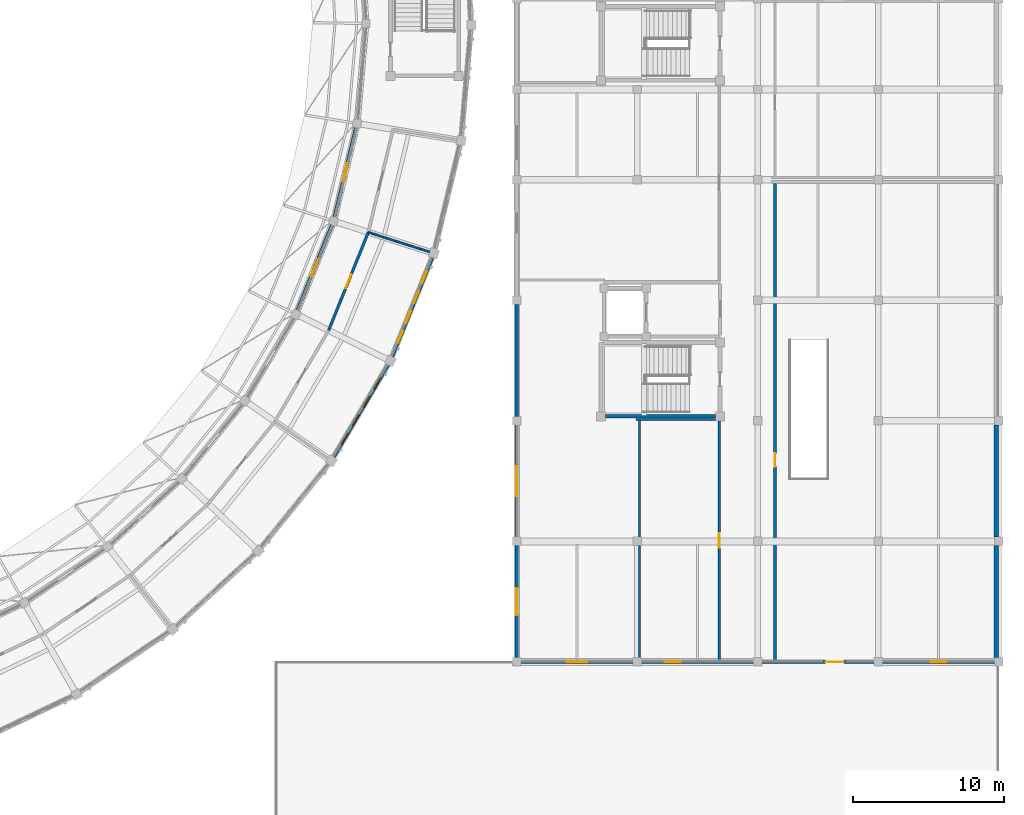
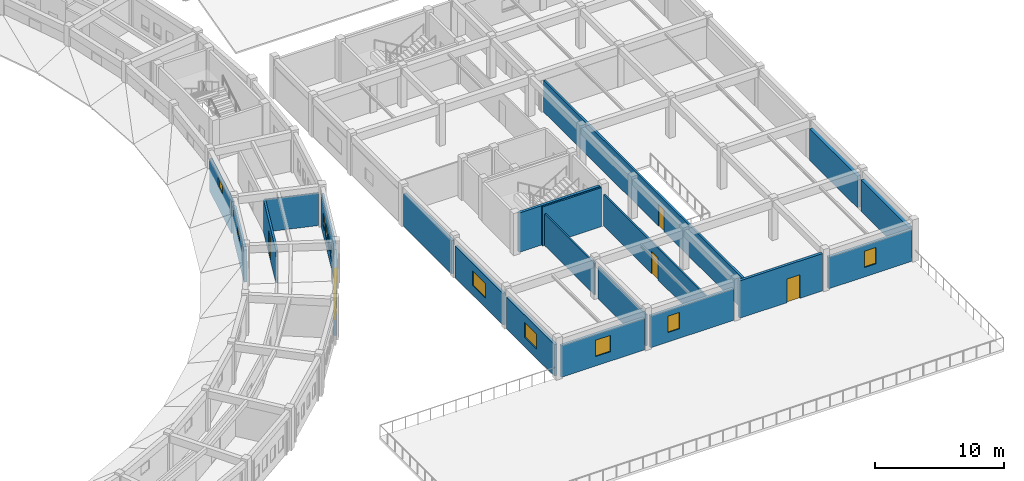
# One storey, part 90 of 112: 21 walls, 15 windows, 4 doors, 19 openings.
"""IFC4 building model written with IfcOpenShell, lengths in metres."""

from ifc_helpers import new_model, si_unit, direction, frame, frame_2d, origin, place, context, subcontext, project, spatial, rectangle, extrude, material, layer, layer_set, type_object, element, fill, save


model = new_model("IFC4")

# Units and contexts
model_context = context("Model", 3, precision=1e-05, world=origin(), true_north=direction((0.0, 1.0)))
body_context = subcontext(model_context, "Body", "Model", "MODEL_VIEW")
ifc_project = project(units=[si_unit("LENGTHUNIT", "METRE"), si_unit("AREAUNIT", "SQUARE_METRE"), si_unit("VOLUMEUNIT", "CUBIC_METRE"), si_unit("PLANEANGLEUNIT", "RADIAN"), si_unit("MASSUNIT", "GRAM", prefix="KILO")], contexts=[model_context])

# Site, building, storey
site_placement = place(None, origin())
site = spatial("IfcSite", under=ifc_project, at=site_placement, CompositionType="ELEMENT")
building_placement = place(site_placement, origin())
building = spatial("IfcBuilding", under=site, at=building_placement, Name="Celadon Cloister-Ring School", CompositionType="ELEMENT")
storey_placement = place(building_placement, frame((0.0, 0.0, 8.5)))
storey = spatial("IfcBuildingStorey", under=building, at=storey_placement, Name="L02", CompositionType="ELEMENT", Elevation=8.5)

# Wall, opening, window
ifc_material_1 = material(Name="Rendered concrete blockwork", Category="masonry")
ifc_layer_1 = layer(ifc_material_1, 0.239990234375)
ifc_layer_set_1 = layer_set([ifc_layer_1], Name="Rendered concrete blockwork")
wall_type_1 = type_object("IfcWallType", Name="WT-EX3", PredefinedType="SOLIDWALL", material=ifc_layer_set_1)
wall_1_placement = place(storey_placement, frame((127.45703125, 39.342041015625, 0.0), z_axis=(0.0, 0.0, 1.0), x_axis=(0.375028796547, 0.92701316159, 0.0)))
wall_1 = element("IfcWall", 1, at=wall_1_placement, inside=storey, type_object=wall_type_1, Name="Exterior Wall 0153", PredefinedType="SOLIDWALL", context=body_context, shape_type="SweptSolid", body=[
    extrude(rectangle(XDim=6.092529296875, YDim=0.239990234375, at=frame_2d((3.04638671875, 0.0))), origin(), (0.0, 0.0, 1.0), 3.050048828125),
])
opening_1_placement = place(wall_1_placement, frame((2.446044921875, 0.0, 2.050048828125)))
opening_1 = element("IfcOpeningElement", 2, at=opening_1_placement, cuts=wall_1, Name="Opening WN-49", PredefinedType="OPENING", context=body_context, shape_type="SweptSolid", body=[
    extrude(rectangle(XDim=1.199951171875, YDim=0.85009765625, at=frame_2d((0.60009765625, 0.425048828125))), frame((0.0, 0.1298828125, 0.0), z_axis=(0.0, -1.0, 0.0), x_axis=(1.0, 0.0, 0.0)), (0.0, 0.0, 1.0), 0.260009765625),
])
ifc_material_2 = material(Name="Tempered laminated insulating glass", Category="glass")
window_type_1 = type_object("IfcWindowType", Name="WN-49", PartitioningType="SINGLE_PANEL", PredefinedType="WINDOW", material=ifc_material_2)
window_1_placement = place(opening_1_placement, origin())
window_1 = element("IfcWindow", 3, at=window_1_placement, inside=storey, type_object=window_type_1, Name="Window 0398", OverallHeight=0.85009765625, OverallWidth=1.199951171875, PartitioningType="SINGLE_PANEL", PredefinedType="WINDOW", context=body_context, shape_type="SweptSolid", body=[
    extrude(rectangle(XDim=1.199951171875, YDim=0.85009765625, at=frame_2d((0.60009765625, 0.425048828125))), frame((0.0, 0.030029296875, 0.0), z_axis=(0.0, -1.0, 0.0), x_axis=(1.0, 0.0, 0.0)), (0.0, 0.0, 1.0), 0.06005859375),
])
fill(opening_1, window_1)

wall_2_placement = place(storey_placement, frame((129.9169921875, 45.534912109375, 0.0), z_axis=(0.0, 0.0, 1.0), x_axis=(0.234068568922, 0.972220090845, 0.0)))
wall_2 = element("IfcWall", 4, at=wall_2_placement, inside=storey, type_object=wall_type_1, Name="Exterior Wall 0155", PredefinedType="SOLIDWALL", context=body_context, shape_type="SweptSolid", body=[
    extrude(rectangle(XDim=6.09228515625, YDim=0.239990234375, at=frame_2d((3.046142578125, 0.0))), origin(), (0.0, 0.0, 1.0), 3.050048828125),
])
opening_2_placement = place(wall_2_placement, frame((2.446044921875, 0.0, 2.050048828125)))
opening_2 = element("IfcOpeningElement", 5, at=opening_2_placement, cuts=wall_2, Name="Opening WN-49", PredefinedType="OPENING", context=body_context, shape_type="SweptSolid", body=[
    extrude(rectangle(XDim=1.199951171875, YDim=0.85009765625, at=frame_2d((0.60009765625, 0.425048828125))), frame((0.0, 0.1298828125, 0.0), z_axis=(0.0, -1.0, 0.0), x_axis=(1.0, 0.0, 0.0)), (0.0, 0.0, 1.0), 0.260009765625),
])
window_2_placement = place(opening_2_placement, origin())
window_2 = element("IfcWindow", 6, at=window_2_placement, inside=storey, type_object=window_type_1, Name="Window 0403", OverallHeight=0.85009765625, OverallWidth=1.199951171875, PartitioningType="SINGLE_PANEL", PredefinedType="WINDOW", context=body_context, shape_type="SweptSolid", body=[
    extrude(rectangle(XDim=1.199951171875, YDim=0.85009765625, at=frame_2d((0.60009765625, 0.425048828125))), frame((0.0, 0.030029296875, 0.0), z_axis=(0.0, -1.0, 0.0), x_axis=(1.0, 0.0, 0.0)), (0.0, 0.0, 1.0), 0.06005859375),
])
fill(opening_2, window_2)

wall_3_placement = place(storey_placement, frame((142.0, 16.277099609375, 0.0), z_axis=(0.0, 0.0, 1.0), x_axis=(0.0, 1.0, 0.0)))
wall_3 = element("IfcWall", 7, at=wall_3_placement, inside=storey, type_object=wall_type_1, Name="Exterior Wall 0451", PredefinedType="SOLIDWALL", context=body_context, shape_type="SweptSolid", body=[
    extrude(rectangle(XDim=7.44580078125, YDim=0.239990234375, at=frame_2d((3.722900390625, 0.0))), origin(), (0.0, 0.0, 1.0), 3.001953125),
])
opening_3_placement = place(wall_3_placement, frame((2.822998046875, 0.0, 0.89990234375)))
opening_3 = element("IfcOpeningElement", 8, at=opening_3_placement, cuts=wall_3, Name="Opening WN-27", PredefinedType="OPENING", context=body_context, shape_type="SweptSolid", body=[
    extrude(rectangle(XDim=1.800048828125, YDim=1.39990234375, at=frame_2d((0.89990234375, 0.699951171875))), frame((0.0, 0.1298828125, 0.0), z_axis=(0.0, -1.0, 0.0), x_axis=(1.0, 0.0, 0.0)), (0.0, 0.0, 1.0), 0.260009765625),
])
ifc_material_3 = material(Name="Tempered laminated insulating glass", Category="glass")
window_type_2 = type_object("IfcWindowType", Name="WN-27", PartitioningType="DOUBLE_PANEL_VERTICAL", PredefinedType="WINDOW", material=ifc_material_3)
window_3_placement = place(opening_3_placement, origin())
window_3 = element("IfcWindow", 9, at=window_3_placement, inside=storey, type_object=window_type_2, Name="Window 0979", OverallHeight=1.39990234375, OverallWidth=1.800048828125, PartitioningType="SINGLE_PANEL", PredefinedType="WINDOW", context=body_context, shape_type="SweptSolid", body=[
    extrude(rectangle(XDim=1.800048828125, YDim=1.39990234375, at=frame_2d((0.89990234375, 0.699951171875))), frame((0.0, 0.030029296875, 0.0), z_axis=(0.0, -1.0, 0.0), x_axis=(1.0, 0.0, 0.0)), (0.0, 0.0, 1.0), 0.06005859375),
])
fill(opening_3, window_3)

wall_4_placement = place(storey_placement, frame((142.0, 24.277099609375, 0.0), z_axis=(0.0, 0.0, 1.0), x_axis=(0.0, 1.0, 0.0)))
wall_4 = element("IfcWall", 10, at=wall_4_placement, inside=storey, type_object=wall_type_1, Name="Exterior Wall 0452", PredefinedType="SOLIDWALL", context=body_context, shape_type="SweptSolid", body=[
    extrude(rectangle(XDim=7.44580078125, YDim=0.239990234375, at=frame_2d((3.722900390625, 0.0))), origin(), (0.0, 0.0, 1.0), 3.001953125),
])
opening_4_placement = place(wall_4_placement, frame((2.722900390625, 0.0, 0.89990234375)))
opening_4 = element("IfcOpeningElement", 11, at=opening_4_placement, cuts=wall_4, Name="Opening WN-28", PredefinedType="OPENING", context=body_context, shape_type="SweptSolid", body=[
    extrude(rectangle(XDim=2.0, YDim=1.39990234375, at=frame_2d((1.0, 0.699951171875))), frame((0.0, 0.1298828125, 0.0), z_axis=(0.0, -1.0, 0.0), x_axis=(1.0, 0.0, 0.0)), (0.0, 0.0, 1.0), 0.260009765625),
])
ifc_material_4 = material(Name="Tempered laminated insulating glass", Category="glass")
window_type_3 = type_object("IfcWindowType", Name="WN-28", PartitioningType="DOUBLE_PANEL_VERTICAL", PredefinedType="WINDOW", material=ifc_material_4)
window_4_placement = place(opening_4_placement, origin())
window_4 = element("IfcWindow", 12, at=window_4_placement, inside=storey, type_object=window_type_3, Name="Window 0980", OverallHeight=1.39990234375, OverallWidth=2.0, PartitioningType="SINGLE_PANEL", PredefinedType="WINDOW", context=body_context, shape_type="SweptSolid", body=[
    extrude(rectangle(XDim=2.0, YDim=1.39990234375, at=frame_2d((1.0, 0.699951171875))), frame((0.0, 0.030029296875, 0.0), z_axis=(0.0, -1.0, 0.0), x_axis=(1.0, 0.0, 0.0)), (0.0, 0.0, 1.0), 0.06005859375),
])
fill(opening_4, window_4)

# Wall
wall_5_placement = place(storey_placement, frame((142.0, 32.277099609375, 0.0), z_axis=(0.0, 0.0, 1.0), x_axis=(0.0, 1.0, 0.0)))
element("IfcWall", 13, at=wall_5_placement, inside=storey, type_object=wall_type_1, Name="Exterior Wall 0453", PredefinedType="SOLIDWALL", context=body_context, shape_type="SweptSolid", body=[
    extrude(rectangle(XDim=7.44580078125, YDim=0.239990234375, at=frame_2d((3.722900390625, 0.0))), origin(), (0.0, 0.0, 1.0), 3.152099609375),
])

# Wall, opening, window
wall_6_placement = place(storey_placement, frame((173.722900390625, 16.0, 0.0), z_axis=(0.0, 0.0, 1.0), x_axis=(-1.0, 0.0, 0.0)))
wall_6 = element("IfcWall", 14, at=wall_6_placement, inside=storey, type_object=wall_type_1, Name="Exterior Wall 0467", PredefinedType="SOLIDWALL", context=body_context, shape_type="SweptSolid", body=[
    extrude(rectangle(XDim=7.44580078125, YDim=0.239990234375, at=frame_2d((3.722900390625, 0.0))), origin(), (0.0, 0.0, 1.0), 3.001953125),
])
opening_5_placement = place(wall_6_placement, frame((3.197998046875, 0.0, 0.89990234375)))
opening_5 = element("IfcOpeningElement", 15, at=opening_5_placement, cuts=wall_6, Name="Opening WN-32", PredefinedType="OPENING", context=body_context, shape_type="SweptSolid", body=[
    extrude(rectangle(XDim=1.050048828125, YDim=1.550048828125, at=frame_2d((0.52490234375, 0.77490234375))), frame((0.0, 0.1298828125, 0.0), z_axis=(0.0, -1.0, 0.0), x_axis=(1.0, 0.0, 0.0)), (0.0, 0.0, 1.0), 0.260009765625),
])
ifc_material_5 = material(Name="Tempered laminated insulating glass", Category="glass")
window_type_4 = type_object("IfcWindowType", Name="WN-32", PartitioningType="SINGLE_PANEL", PredefinedType="WINDOW", material=ifc_material_5)
window_5_placement = place(opening_5_placement, origin())
window_5 = element("IfcWindow", 16, at=window_5_placement, inside=storey, type_object=window_type_4, Name="Window 0986", OverallHeight=1.550048828125, OverallWidth=1.050048828125, PartitioningType="SINGLE_PANEL", PredefinedType="WINDOW", context=body_context, shape_type="SweptSolid", body=[
    extrude(rectangle(XDim=1.050048828125, YDim=1.550048828125, at=frame_2d((0.52490234375, 0.77490234375))), frame((0.0, 0.030029296875, 0.0), z_axis=(0.0, -1.0, 0.0), x_axis=(1.0, 0.0, 0.0)), (0.0, 0.0, 1.0), 0.06005859375),
])
fill(opening_5, window_5)

# Wall, opening, door
wall_7_placement = place(storey_placement, frame((165.722900390625, 16.0, 0.0), z_axis=(0.0, 0.0, 1.0), x_axis=(-1.0, 0.0, 0.0)))
wall_7 = element("IfcWall", 17, at=wall_7_placement, inside=storey, type_object=wall_type_1, Name="Exterior Wall 0468", PredefinedType="SOLIDWALL", context=body_context, shape_type="SweptSolid", body=[
    extrude(rectangle(XDim=7.44580078125, YDim=0.239990234375, at=frame_2d((3.722900390625, 0.0))), origin(), (0.0, 0.0, 1.0), 3.550048828125),
])
opening_6_placement = place(wall_7_placement, frame((2.006103515625, 0.0, 0.0)))
opening_6 = element("IfcOpeningElement", 18, at=opening_6_placement, cuts=wall_7, Name="Opening D-0022", PredefinedType="OPENING", context=body_context, shape_type="SweptSolid", body=[
    extrude(rectangle(XDim=1.199951171875, YDim=2.25, at=frame_2d((0.60009765625, 1.125))), frame((0.0, 0.1298828125, 0.0), z_axis=(0.0, -1.0, 0.0), x_axis=(1.0, 0.0, 0.0)), (0.0, 0.0, 1.0), 0.260009765625),
])
ifc_material_6 = material(Name="Aluminium EN AW-6063 T6", Category="aluminium")
door_type_1 = type_object("IfcDoorType", Name="DE-06", OperationType="NOTDEFINED", PredefinedType="DOOR", material=ifc_material_6)
door_1_placement = place(opening_6_placement, origin())
door_1 = element("IfcDoor", 19, at=door_1_placement, inside=storey, type_object=door_type_1, Name="Exterior Door D-0022", OperationType="SINGLE_SWING_RIGHT", OverallHeight=2.25, OverallWidth=1.199951171875, PredefinedType="DOOR", context=body_context, shape_type="SweptSolid", body=[
    extrude(rectangle(XDim=1.199951171875, YDim=2.25, at=frame_2d((0.60009765625, 1.125))), frame((0.0, 0.02490234375, 0.0), z_axis=(0.0, -1.0, 0.0), x_axis=(1.0, 0.0, 0.0)), (0.0, 0.0, 1.0), 0.050048828125),
])
fill(opening_6, door_1)

# Wall, opening, window
wall_8_placement = place(storey_placement, frame((157.722900390625, 16.0, 0.0), z_axis=(0.0, 0.0, 1.0), x_axis=(-1.0, 0.0, 0.0)))
wall_8 = element("IfcWall", 20, at=wall_8_placement, inside=storey, type_object=wall_type_1, Name="Exterior Wall 0469", PredefinedType="SOLIDWALL", context=body_context, shape_type="SweptSolid", body=[
    extrude(rectangle(XDim=7.44580078125, YDim=0.239990234375, at=frame_2d((3.722900390625, 0.0))), origin(), (0.0, 0.0, 1.0), 3.001953125),
])
opening_7_placement = place(wall_8_placement, frame((4.8359375, 0.0, 0.89990234375)))
opening_7 = element("IfcOpeningElement", 21, at=opening_7_placement, cuts=wall_8, Name="Opening WN-32", PredefinedType="OPENING", context=body_context, shape_type="SweptSolid", body=[
    extrude(rectangle(XDim=1.050048828125, YDim=1.550048828125, at=frame_2d((0.52490234375, 0.77490234375))), frame((0.0, 0.1298828125, 0.0), z_axis=(0.0, -1.0, 0.0), x_axis=(1.0, 0.0, 0.0)), (0.0, 0.0, 1.0), 0.260009765625),
])
window_6_placement = place(opening_7_placement, origin())
window_6 = element("IfcWindow", 22, at=window_6_placement, inside=storey, type_object=window_type_4, Name="Window 0987", OverallHeight=1.550048828125, OverallWidth=1.050048828125, PartitioningType="SINGLE_PANEL", PredefinedType="WINDOW", context=body_context, shape_type="SweptSolid", body=[
    extrude(rectangle(XDim=1.050048828125, YDim=1.550048828125, at=frame_2d((0.52490234375, 0.77490234375))), frame((0.0, 0.030029296875, 0.0), z_axis=(0.0, -1.0, 0.0), x_axis=(1.0, 0.0, 0.0)), (0.0, 0.0, 1.0), 0.06005859375),
])
fill(opening_7, window_6)

wall_9_placement = place(storey_placement, frame((149.722900390625, 16.0, 0.0), z_axis=(0.0, 0.0, 1.0), x_axis=(-1.0, 0.0, 0.0)))
wall_9 = element("IfcWall", 23, at=wall_9_placement, inside=storey, type_object=wall_type_1, Name="Exterior Wall 0470", PredefinedType="SOLIDWALL", context=body_context, shape_type="SweptSolid", body=[
    extrude(rectangle(XDim=7.44580078125, YDim=0.239990234375, at=frame_2d((3.722900390625, 0.0))), origin(), (0.0, 0.0, 1.0), 3.001953125),
])
opening_8_placement = place(wall_9_placement, frame((3.048095703125, 0.0, 0.89990234375)))
opening_8 = element("IfcOpeningElement", 24, at=opening_8_placement, cuts=wall_9, Name="Opening WN-34", PredefinedType="OPENING", context=body_context, shape_type="SweptSolid", body=[
    extrude(rectangle(XDim=1.35009765625, YDim=1.550048828125, at=frame_2d((0.675048828125, 0.77490234375))), frame((0.0, 0.1298828125, 0.0), z_axis=(0.0, -1.0, 0.0), x_axis=(1.0, 0.0, 0.0)), (0.0, 0.0, 1.0), 0.260009765625),
])
ifc_material_7 = material(Name="Tempered laminated insulating glass", Category="glass")
window_type_5 = type_object("IfcWindowType", Name="WN-34", PartitioningType="SINGLE_PANEL", PredefinedType="WINDOW", material=ifc_material_7)
window_7_placement = place(opening_8_placement, origin())
window_7 = element("IfcWindow", 25, at=window_7_placement, inside=storey, type_object=window_type_5, Name="Window 0988", OverallHeight=1.550048828125, OverallWidth=1.35009765625, PartitioningType="SINGLE_PANEL", PredefinedType="WINDOW", context=body_context, shape_type="SweptSolid", body=[
    extrude(rectangle(XDim=1.35009765625, YDim=1.550048828125, at=frame_2d((0.675048828125, 0.77490234375))), frame((0.0, 0.030029296875, 0.0), z_axis=(0.0, -1.0, 0.0), x_axis=(1.0, 0.0, 0.0)), (0.0, 0.0, 1.0), 0.06005859375),
])
fill(opening_8, window_7)

# Wall, openings, windows
ifc_material_8 = material(Name="Perforated terracotta clay brick masonry", Category="masonry")
ifc_layer_2 = layer(ifc_material_8, 0.219970703125)
ifc_layer_set_2 = layer_set([ifc_layer_2], Name="Perforated terracotta clay brick masonry")
wall_type_2 = type_object("IfcWallType", Name="WT-EX4", PredefinedType="SOLIDWALL", material=ifc_layer_set_2)
wall_10_placement = place(storey_placement, frame((133.467041015625, 35.708984375, 0.0), z_axis=(0.0, 0.0, 1.0), x_axis=(-0.507925334326, -0.861401099808, 0.0)))
wall_10 = element("IfcWall", 26, at=wall_10_placement, inside=storey, type_object=wall_type_2, Name="Exterior Wall 0150", PredefinedType="SOLIDWALL", context=body_context, shape_type="SweptSolid", body=[
    extrude(rectangle(XDim=7.08154296875, YDim=0.219970703125, at=frame_2d((3.540771484375, 0.0))), origin(), (0.0, 0.0, 1.0), 3.19189453125),
])
opening_9_placement = place(wall_10_placement, frame((0.990966796875, 0.0, 0.85009765625)))
opening_9 = element("IfcOpeningElement", 27, at=opening_9_placement, cuts=wall_10, Name="Opening WN-11", PredefinedType="OPENING", context=body_context, shape_type="SweptSolid", body=[
    extrude(rectangle(XDim=0.85009765625, YDim=1.25, at=frame_2d((0.425048828125, 0.625))), frame((0.0, 0.1201171875, 0.0), z_axis=(0.0, -1.0, 0.0), x_axis=(1.0, 0.0, 0.0)), (0.0, 0.0, 1.0), 0.239990234375),
])
opening_10_placement = place(wall_10_placement, frame((2.407958984375, 0.0, 0.85009765625)))
opening_10 = element("IfcOpeningElement", 28, at=opening_10_placement, cuts=wall_10, Name="Opening WN-11", PredefinedType="OPENING", context=body_context, shape_type="SweptSolid", body=[
    extrude(rectangle(XDim=0.85009765625, YDim=1.25, at=frame_2d((0.425048828125, 0.625))), frame((0.0, 0.1201171875, 0.0), z_axis=(0.0, -1.0, 0.0), x_axis=(1.0, 0.0, 0.0)), (0.0, 0.0, 1.0), 0.239990234375),
])
opening_11_placement = place(wall_10_placement, frame((3.823974609375, 0.0, 0.85009765625)))
opening_11 = element("IfcOpeningElement", 29, at=opening_11_placement, cuts=wall_10, Name="Opening WN-11", PredefinedType="OPENING", context=body_context, shape_type="SweptSolid", body=[
    extrude(rectangle(XDim=0.85009765625, YDim=1.25, at=frame_2d((0.425048828125, 0.625))), frame((0.0, 0.1201171875, 0.0), z_axis=(0.0, -1.0, 0.0), x_axis=(1.0, 0.0, 0.0)), (0.0, 0.0, 1.0), 0.239990234375),
])
opening_12_placement = place(wall_10_placement, frame((5.239990234375, 0.0, 0.85009765625)))
opening_12 = element("IfcOpeningElement", 30, at=opening_12_placement, cuts=wall_10, Name="Opening WN-11", PredefinedType="OPENING", context=body_context, shape_type="SweptSolid", body=[
    extrude(rectangle(XDim=0.85009765625, YDim=1.25, at=frame_2d((0.425048828125, 0.625))), frame((0.0, 0.1201171875, 0.0), z_axis=(0.0, -1.0, 0.0), x_axis=(1.0, 0.0, 0.0)), (0.0, 0.0, 1.0), 0.239990234375),
])
ifc_material_9 = material(Name="Tempered laminated insulating glass", Category="glass")
window_type_6 = type_object("IfcWindowType", Name="WN-11", PartitioningType="SINGLE_PANEL", PredefinedType="WINDOW", material=ifc_material_9)
window_8_placement = place(opening_9_placement, origin())
window_8 = element("IfcWindow", 31, at=window_8_placement, inside=storey, type_object=window_type_6, Name="Window 0389", OverallHeight=1.25, OverallWidth=0.85009765625, PartitioningType="SINGLE_PANEL", PredefinedType="WINDOW", context=body_context, shape_type="SweptSolid", body=[
    extrude(rectangle(XDim=0.85009765625, YDim=1.25, at=frame_2d((0.425048828125, 0.625))), frame((0.0, 0.030029296875, 0.0), z_axis=(0.0, -1.0, 0.0), x_axis=(1.0, 0.0, 0.0)), (0.0, 0.0, 1.0), 0.06005859375),
])
fill(opening_9, window_8)
window_9_placement = place(opening_10_placement, origin())
window_9 = element("IfcWindow", 32, at=window_9_placement, inside=storey, type_object=window_type_6, Name="Window 0390", OverallHeight=1.25, OverallWidth=0.85009765625, PartitioningType="SINGLE_PANEL", PredefinedType="WINDOW", context=body_context, shape_type="SweptSolid", body=[
    extrude(rectangle(XDim=0.85009765625, YDim=1.25, at=frame_2d((0.425048828125, 0.625))), frame((0.0, 0.030029296875, 0.0), z_axis=(0.0, -1.0, 0.0), x_axis=(1.0, 0.0, 0.0)), (0.0, 0.0, 1.0), 0.06005859375),
])
fill(opening_10, window_9)
window_10_placement = place(opening_11_placement, origin())
window_10 = element("IfcWindow", 33, at=window_10_placement, inside=storey, type_object=window_type_6, Name="Window 0391", OverallHeight=1.25, OverallWidth=0.85009765625, PartitioningType="SINGLE_PANEL", PredefinedType="WINDOW", context=body_context, shape_type="SweptSolid", body=[
    extrude(rectangle(XDim=0.85009765625, YDim=1.25, at=frame_2d((0.425048828125, 0.625))), frame((0.0, 0.030029296875, 0.0), z_axis=(0.0, -1.0, 0.0), x_axis=(1.0, 0.0, 0.0)), (0.0, 0.0, 1.0), 0.06005859375),
])
fill(opening_11, window_10)
window_11_placement = place(opening_12_placement, origin())
window_11 = element("IfcWindow", 34, at=window_11_placement, inside=storey, type_object=window_type_6, Name="Window 0392", OverallHeight=1.25, OverallWidth=0.85009765625, PartitioningType="SINGLE_PANEL", PredefinedType="WINDOW", context=body_context, shape_type="SweptSolid", body=[
    extrude(rectangle(XDim=0.85009765625, YDim=1.25, at=frame_2d((0.425048828125, 0.625))), frame((0.0, 0.030029296875, 0.0), z_axis=(0.0, -1.0, 0.0), x_axis=(1.0, 0.0, 0.0)), (0.0, 0.0, 1.0), 0.06005859375),
])
fill(opening_12, window_11)

wall_11_placement = place(storey_placement, frame((136.39794921875, 42.830078125, 0.0), z_axis=(0.0, 0.0, 1.0), x_axis=(-0.375031251377, -0.92701216847, 0.0)))
wall_11 = element("IfcWall", 35, at=wall_11_placement, inside=storey, type_object=wall_type_2, Name="Exterior Wall 0152", PredefinedType="SOLIDWALL", context=body_context, shape_type="SweptSolid", body=[
    extrude(rectangle(XDim=7.08203125, YDim=0.219970703125, at=frame_2d((3.541015625, 0.0))), origin(), (0.0, 0.0, 1.0), 3.19189453125),
])
opening_13_placement = place(wall_11_placement, frame((0.990966796875, 0.0, 0.85009765625)))
opening_13 = element("IfcOpeningElement", 36, at=opening_13_placement, cuts=wall_11, Name="Opening WN-11", PredefinedType="OPENING", context=body_context, shape_type="SweptSolid", body=[
    extrude(rectangle(XDim=0.85009765625, YDim=1.25, at=frame_2d((0.425048828125, 0.625))), frame((0.0, 0.1201171875, 0.0), z_axis=(0.0, -1.0, 0.0), x_axis=(1.0, 0.0, 0.0)), (0.0, 0.0, 1.0), 0.239990234375),
])
opening_14_placement = place(wall_11_placement, frame((2.407958984375, 0.0, 0.85009765625)))
opening_14 = element("IfcOpeningElement", 37, at=opening_14_placement, cuts=wall_11, Name="Opening WN-11", PredefinedType="OPENING", context=body_context, shape_type="SweptSolid", body=[
    extrude(rectangle(XDim=0.85009765625, YDim=1.25, at=frame_2d((0.425048828125, 0.625))), frame((0.0, 0.1201171875, 0.0), z_axis=(0.0, -1.0, 0.0), x_axis=(1.0, 0.0, 0.0)), (0.0, 0.0, 1.0), 0.239990234375),
])
opening_15_placement = place(wall_11_placement, frame((3.823974609375, 0.0, 0.85009765625)))
opening_15 = element("IfcOpeningElement", 38, at=opening_15_placement, cuts=wall_11, Name="Opening WN-11", PredefinedType="OPENING", context=body_context, shape_type="SweptSolid", body=[
    extrude(rectangle(XDim=0.85009765625, YDim=1.25, at=frame_2d((0.425048828125, 0.625))), frame((0.0, 0.1201171875, 0.0), z_axis=(0.0, -1.0, 0.0), x_axis=(1.0, 0.0, 0.0)), (0.0, 0.0, 1.0), 0.239990234375),
])
opening_16_placement = place(wall_11_placement, frame((5.240966796875, 0.0, 0.85009765625)))
opening_16 = element("IfcOpeningElement", 39, at=opening_16_placement, cuts=wall_11, Name="Opening WN-11", PredefinedType="OPENING", context=body_context, shape_type="SweptSolid", body=[
    extrude(rectangle(XDim=0.85009765625, YDim=1.25, at=frame_2d((0.425048828125, 0.625))), frame((0.0, 0.1201171875, 0.0), z_axis=(0.0, -1.0, 0.0), x_axis=(1.0, 0.0, 0.0)), (0.0, 0.0, 1.0), 0.239990234375),
])
window_12_placement = place(opening_13_placement, origin())
window_12 = element("IfcWindow", 40, at=window_12_placement, inside=storey, type_object=window_type_6, Name="Window 0394", OverallHeight=1.25, OverallWidth=0.85009765625, PartitioningType="SINGLE_PANEL", PredefinedType="WINDOW", context=body_context, shape_type="SweptSolid", body=[
    extrude(rectangle(XDim=0.85009765625, YDim=1.25, at=frame_2d((0.425048828125, 0.625))), frame((0.0, 0.030029296875, 0.0), z_axis=(0.0, -1.0, 0.0), x_axis=(1.0, 0.0, 0.0)), (0.0, 0.0, 1.0), 0.06005859375),
])
fill(opening_13, window_12)
window_13_placement = place(opening_14_placement, origin())
window_13 = element("IfcWindow", 41, at=window_13_placement, inside=storey, type_object=window_type_6, Name="Window 0395", OverallHeight=1.25, OverallWidth=0.85009765625, PartitioningType="SINGLE_PANEL", PredefinedType="WINDOW", context=body_context, shape_type="SweptSolid", body=[
    extrude(rectangle(XDim=0.85009765625, YDim=1.25, at=frame_2d((0.425048828125, 0.625))), frame((0.0, 0.030029296875, 0.0), z_axis=(0.0, -1.0, 0.0), x_axis=(1.0, 0.0, 0.0)), (0.0, 0.0, 1.0), 0.06005859375),
])
fill(opening_14, window_13)
window_14_placement = place(opening_15_placement, origin())
window_14 = element("IfcWindow", 42, at=window_14_placement, inside=storey, type_object=window_type_6, Name="Window 0396", OverallHeight=1.25, OverallWidth=0.85009765625, PartitioningType="SINGLE_PANEL", PredefinedType="WINDOW", context=body_context, shape_type="SweptSolid", body=[
    extrude(rectangle(XDim=0.85009765625, YDim=1.25, at=frame_2d((0.425048828125, 0.625))), frame((0.0, 0.030029296875, 0.0), z_axis=(0.0, -1.0, 0.0), x_axis=(1.0, 0.0, 0.0)), (0.0, 0.0, 1.0), 0.06005859375),
])
fill(opening_15, window_14)
window_15_placement = place(opening_16_placement, origin())
window_15 = element("IfcWindow", 43, at=window_15_placement, inside=storey, type_object=window_type_6, Name="Window 0397", OverallHeight=1.25, OverallWidth=0.85009765625, PartitioningType="SINGLE_PANEL", PredefinedType="WINDOW", context=body_context, shape_type="SweptSolid", body=[
    extrude(rectangle(XDim=0.85009765625, YDim=1.25, at=frame_2d((0.425048828125, 0.625))), frame((0.0, 0.030029296875, 0.0), z_axis=(0.0, -1.0, 0.0), x_axis=(1.0, 0.0, 0.0)), (0.0, 0.0, 1.0), 0.06005859375),
])
fill(opening_16, window_15)

# Walls
ifc_material_10 = material(Name="Concrete C40/50", Category="concrete")
ifc_layer_3 = layer(ifc_material_10, 0.300048828125)
ifc_layer_set_3 = layer_set([ifc_layer_3], Name="Concrete C40/50")
wall_type_3 = type_object("IfcWallType", Name="WT-FW1", PredefinedType="SHEAR", material=ifc_layer_set_3)
for number, where, z_axis, x_axis, name in (
    (44, (173.85009765625, 31.722900390625, 0.0), (0.0, 0.0, 1.0), (0.0, -1.0, 0.0), "Exterior Wall 0465"),
    (45, (173.85009765625, 23.722900390625, 0.0), (0.0, 0.0, 1.0), (0.0, -1.0, 0.0), "Exterior Wall 0466"),
):
    element("IfcWall", number, at=place(storey_placement, frame(where, z_axis=z_axis, x_axis=x_axis)), inside=storey, type_object=wall_type_3, Name=name, PredefinedType="SHEAR", context=body_context, shape_type="SweptSolid", body=[
        extrude(rectangle(XDim=7.44580078125, YDim=0.300048828125, at=frame_2d((3.722900390625, 0.0))), origin(), (0.0, 0.0, 1.0), 3.001953125),
    ])

# Wall, opening, door
ifc_material_11 = material(Name="Plastered hollow concrete masonry", Category="masonry")
ifc_layer_4 = layer(ifc_material_11, 0.179931640625)
ifc_layer_set_4 = layer_set([ifc_layer_4], Name="Plastered hollow concrete masonry")
wall_type_4 = type_object("IfcWallType", Name="WT-PT2", PredefinedType="PARTITIONING", material=ifc_layer_set_4)
wall_12_placement = place(storey_placement, frame((129.51904296875, 38.00390625, 0.0), z_axis=(0.0, 0.0, 1.0), x_axis=(0.375036360506, 0.927010101508, 0.0)))
wall_12 = element("IfcWall", 46, at=wall_12_placement, inside=storey, type_object=wall_type_4, Name="Interior Wall 0581", PredefinedType="PARTITIONING", context=body_context, shape_type="SweptSolid", body=[
    extrude(rectangle(XDim=7.026123046875, YDim=0.179931640625, at=frame_2d((3.51318359375, 0.0))), origin(), (0.0, 0.0, 1.0), 3.092041015625),
])
opening_17_placement = place(wall_12_placement, frame((3.02294921875, 0.0, 0.0)))
opening_17 = element("IfcOpeningElement", 47, at=opening_17_placement, cuts=wall_12, Name="Opening D-0196", PredefinedType="OPENING", context=body_context, shape_type="SweptSolid", body=[
    extrude(rectangle(XDim=0.97998046875, YDim=2.199951171875, at=frame_2d((0.489990234375, 1.10009765625))), frame((0.0, 0.10009765625, 0.0), z_axis=(0.0, -1.0, 0.0), x_axis=(1.0, 0.0, 0.0)), (0.0, 0.0, 1.0), 0.199951171875),
])
ifc_material_12 = material(Name="Solid-core fire-rated hardwood leaf", Category="wood")
door_type_2 = type_object("IfcDoorType", Name="DT-07", OperationType="NOTDEFINED", PredefinedType="DOOR", material=ifc_material_12)
door_2_placement = place(opening_17_placement, origin())
door_2 = element("IfcDoor", 48, at=door_2_placement, inside=storey, type_object=door_type_2, Name="Door D-0196", OperationType="SINGLE_SWING_RIGHT", OverallHeight=2.199951171875, OverallWidth=0.97998046875, PredefinedType="DOOR", context=body_context, shape_type="SweptSolid", body=[
    extrude(rectangle(XDim=0.97998046875, YDim=2.199951171875, at=frame_2d((0.489990234375, 1.10009765625))), frame((0.0, 0.02490234375, 0.0), z_axis=(0.0, -1.0, 0.0), x_axis=(1.0, 0.0, 0.0)), (0.0, 0.0, 1.0), 0.050048828125),
])
fill(opening_17, door_2)

wall_13_placement = place(storey_placement, frame((159.14990234375, 16.123046875, 0.0), z_axis=(0.0, 0.0, 1.0), x_axis=(0.0, 1.0, 0.0)))
wall_13 = element("IfcWall", 49, at=wall_13_placement, inside=storey, type_object=wall_type_4, Name="Interior Wall 1018", PredefinedType="PARTITIONING", context=body_context, shape_type="SweptSolid", body=[
    extrude(rectangle(XDim=31.634033203125, YDim=0.179931640625, at=frame_2d((15.81689453125, 0.0))), origin(), (0.0, 0.0, 1.0), 3.001953125),
])
opening_18_placement = place(wall_13_placement, frame((12.845947265625, 0.0, 0.0)))
opening_18 = element("IfcOpeningElement", 50, at=opening_18_placement, cuts=wall_13, Name="Opening D-0365", PredefinedType="OPENING", context=body_context, shape_type="SweptSolid", body=[
    extrude(rectangle(XDim=0.8798828125, YDim=2.10009765625, at=frame_2d((0.43994140625, 1.050048828125))), frame((0.0, 0.10009765625, 0.0), z_axis=(0.0, -1.0, 0.0), x_axis=(1.0, 0.0, 0.0)), (0.0, 0.0, 1.0), 0.199951171875),
])
ifc_material_13 = material(Name="Solid-core fire-rated hardwood leaf", Category="wood")
door_type_3 = type_object("IfcDoorType", Name="DT-01", OperationType="NOTDEFINED", PredefinedType="DOOR", material=ifc_material_13)
door_3_placement = place(opening_18_placement, origin())
door_3 = element("IfcDoor", 51, at=door_3_placement, inside=storey, type_object=door_type_3, Name="Door D-0365", OperationType="SINGLE_SWING_LEFT", OverallHeight=2.10009765625, OverallWidth=0.8798828125, PredefinedType="DOOR", context=body_context, shape_type="SweptSolid", body=[
    extrude(rectangle(XDim=0.8798828125, YDim=2.10009765625, at=frame_2d((0.43994140625, 1.050048828125))), frame((0.0, 0.02490234375, 0.0), z_axis=(0.0, -1.0, 0.0), x_axis=(1.0, 0.0, 0.0)), (0.0, 0.0, 1.0), 0.050048828125),
])
fill(opening_18, door_3)

# Wall
ifc_material_14 = material(Name="Acoustic mineral-wool drywall partition")
ifc_layer_5 = layer(ifc_material_14, 0.139892578125)
ifc_layer_set_5 = layer_set([ifc_layer_5], Name="Acoustic mineral-wool drywall partition")
wall_type_5 = type_object("IfcWallType", Name="WT-PT4", PredefinedType="PARTITIONING", material=ifc_layer_set_5)
wall_14_placement = place(storey_placement, frame((149.909912109375, 32.10009765625, 0.0), z_axis=(0.0, 0.0, 1.0), x_axis=(1.0, 0.0, 0.0)))
element("IfcWall", 52, at=wall_14_placement, inside=storey, type_object=wall_type_5, Name="Interior Wall 1022", PredefinedType="PARTITIONING", context=body_context, shape_type="SweptSolid", body=[
    extrude(rectangle(XDim=5.298095703125, YDim=0.139892578125, at=frame_2d((2.64892578125, 0.0))), origin(), (0.0, 0.0, 1.0), 3.699951171875),
])

# Wall, opening, door
wall_15_placement = place(storey_placement, frame((155.449951171875, 32.008056640625, 0.0), z_axis=(0.0, 0.0, 1.0), x_axis=(0.0, -1.0, 0.0)))
wall_15 = element("IfcWall", 53, at=wall_15_placement, inside=storey, type_object=wall_type_5, Name="Interior Wall 1023", PredefinedType="PARTITIONING", context=body_context, shape_type="SweptSolid", body=[
    extrude(rectangle(XDim=15.885009765625, YDim=0.139892578125, at=frame_2d((7.9423828125, 0.0))), origin(), (0.0, 0.0, 1.0), 3.001953125),
])
opening_19_placement = place(wall_15_placement, frame((7.462890625, 0.0, 0.0)))
opening_19 = element("IfcOpeningElement", 54, at=opening_19_placement, cuts=wall_15, Name="Opening D-0367", PredefinedType="OPENING", context=body_context, shape_type="SweptSolid", body=[
    extrude(rectangle(XDim=0.9599609375, YDim=2.10009765625, at=frame_2d((0.47998046875, 1.050048828125))), frame((0.0, 0.080078125, 0.0), z_axis=(0.0, -1.0, 0.0), x_axis=(1.0, 0.0, 0.0)), (0.0, 0.0, 1.0), 0.159912109375),
])
ifc_material_15 = material(Name="Solid-core fire-rated hardwood leaf", Category="wood")
door_type_4 = type_object("IfcDoorType", Name="DT-03", OperationType="NOTDEFINED", PredefinedType="DOOR", material=ifc_material_15)
door_4_placement = place(opening_19_placement, origin())
door_4 = element("IfcDoor", 55, at=door_4_placement, inside=storey, type_object=door_type_4, Name="Door D-0367", OperationType="SINGLE_SWING_LEFT", OverallHeight=2.10009765625, OverallWidth=0.9599609375, PredefinedType="DOOR", context=body_context, shape_type="SweptSolid", body=[
    extrude(rectangle(XDim=0.9599609375, YDim=2.10009765625, at=frame_2d((0.47998046875, 1.050048828125))), frame((0.0, 0.02490234375, 0.0), z_axis=(0.0, -1.0, 0.0), x_axis=(1.0, 0.0, 0.0)), (0.0, 0.0, 1.0), 0.050048828125),
])
fill(opening_19, door_4)

# Walls
wall_16_placement = place(storey_placement, frame((150.14990234375, 16.26708984375, 0.0), z_axis=(0.0, 0.0, 1.0), x_axis=(0.0, 1.0, 0.0)))
element("IfcWall", 56, at=wall_16_placement, inside=storey, type_object=wall_type_5, Name="Interior Wall 1024", PredefinedType="PARTITIONING", context=body_context, shape_type="SweptSolid", body=[
    extrude(rectangle(XDim=7.4658203125, YDim=0.139892578125, at=frame_2d((3.73291015625, 0.0))), origin(), (0.0, 0.0, 1.0), 3.001953125),
])
wall_17_placement = place(storey_placement, frame((150.14990234375, 24.26708984375, 0.0), z_axis=(0.0, 0.0, 1.0), x_axis=(0.0, 1.0, 0.0)))
element("IfcWall", 57, at=wall_17_placement, inside=storey, type_object=wall_type_5, Name="Interior Wall 1025", PredefinedType="PARTITIONING", context=body_context, shape_type="SweptSolid", body=[
    extrude(rectangle(XDim=7.760009765625, YDim=0.139892578125, at=frame_2d((3.8798828125, 0.0))), origin(), (0.0, 0.0, 1.0), 3.001953125),
])
ifc_material_16 = material(Name="Acoustic mineral-wool drywall partition")
ifc_layer_6 = layer(ifc_material_16, 0.1201171875)
ifc_layer_set_6 = layer_set([ifc_layer_6], Name="Acoustic mineral-wool drywall partition")
wall_type_6 = type_object("IfcWallType", Name="WT-PT5", PredefinedType="PARTITIONING", material=ifc_layer_set_6)
wall_18_placement = place(storey_placement, frame((132.154052734375, 44.51708984375, 0.0), z_axis=(0.0, 0.0, 1.0), x_axis=(0.952187193994, -0.305515216633, 0.0)))
element("IfcWall", 58, at=wall_18_placement, inside=storey, type_object=wall_type_6, Name="Interior Wall 0550", PredefinedType="PARTITIONING", context=body_context, shape_type="SweptSolid", body=[
    extrude(rectangle(XDim=4.2880859375, YDim=0.1201171875, at=frame_2d((2.14404296875, 0.0))), origin(), (0.0, 0.0, 1.0), 3.092041015625),
])
ifc_material_17 = material(Name="Concrete C40/50", Category="concrete")
ifc_layer_7 = layer(ifc_material_17, 0.239990234375)
ifc_layer_set_7 = layer_set([ifc_layer_7], Name="Concrete C40/50")
wall_type_7 = type_object("IfcWallType", Name="WT-SH1", PredefinedType="SHEAR", material=ifc_layer_set_7)
wall_19_placement = place(storey_placement, frame((155.2080078125, 32.300048828125, 0.0), z_axis=(0.0, 0.0, 1.0), x_axis=(-1.0, 0.0, 0.0)))
element("IfcWall", 59, at=wall_19_placement, inside=storey, type_object=wall_type_7, Name="Interior Wall 0139", PredefinedType="SHEAR", context=body_context, shape_type="SweptSolid", body=[
    extrude(rectangle(XDim=7.31591796875, YDim=0.239990234375, at=frame_2d((3.657958984375, 0.0))), origin(), (0.0, 0.0, 1.0), 3.739990234375),
])

save(model, "model.ifc")
